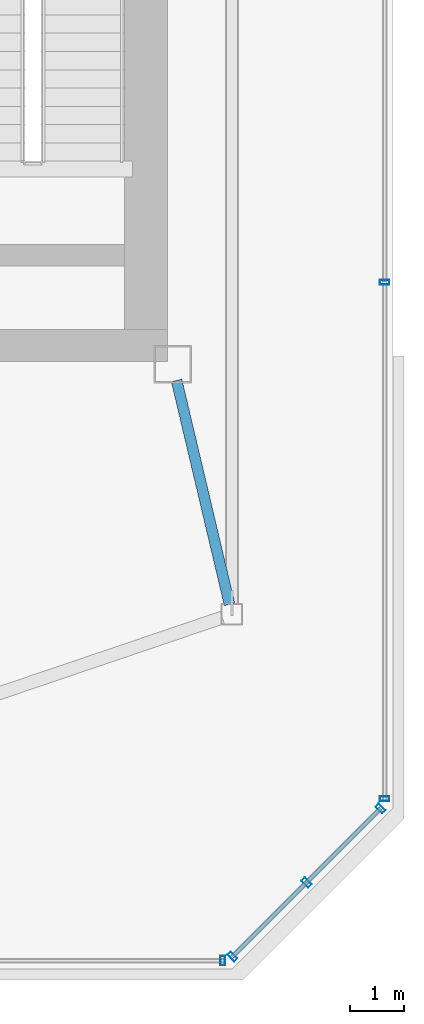
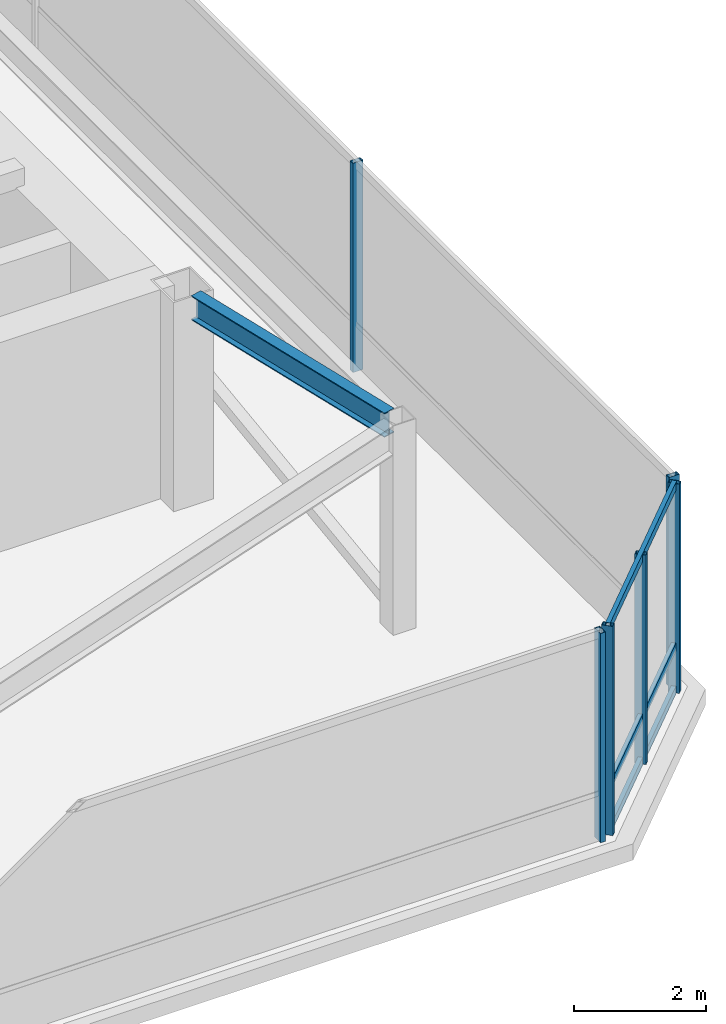
# One storey, part 11 of 22: 9 members, 1 beam, 3 elements without a shape of their own.
"""IFC4 building model written with IfcOpenShell, lengths in metres."""

from ifc_helpers import new_model, si_unit, direction, frame, origin, origin_2d, place, context, subcontext, project, spatial, hollow_rectangle, i_section, extrude, material, layer, layer_set, material_profile, profile_set, type_object, element, aggregate, save


model = new_model("IFC4")

# Units and contexts
model_context = context("Model", 3, precision=1e-05, world=origin(), true_north=direction((0.0, 1.0)))
body_context = subcontext(model_context, "Body", "Model", "MODEL_VIEW")
ifc_project = project(units=[si_unit("LENGTHUNIT", "METRE"), si_unit("AREAUNIT", "SQUARE_METRE"), si_unit("VOLUMEUNIT", "CUBIC_METRE"), si_unit("PLANEANGLEUNIT", "RADIAN"), si_unit("MASSUNIT", "GRAM", prefix="KILO")], contexts=[model_context])

# Site, building, storey
site_placement = place(None, origin())
site = spatial("IfcSite", under=ifc_project, at=site_placement, CompositionType="ELEMENT")
building_placement = place(site_placement, origin())
building = spatial("IfcBuilding", under=site, at=building_placement, Name="Tavrogorsk Clinical Tower", CompositionType="ELEMENT")
storey_placement = place(building_placement, frame((0.0, 0.0, 352.800048828125)))
storey = spatial("IfcBuildingStorey", under=building, at=storey_placement, Name="L82", CompositionType="ELEMENT", Elevation=352.800048828125)

# Curtain wall, members
ifc_material_1 = material(Name="Anodised aluminium and triple IGU glazing", Category="aluminium")
ifc_layer = layer(ifc_material_1, 0.179931640625)
ifc_layer_set = layer_set([ifc_layer], Name="Anodised aluminium and triple IGU glazing")
curtain_wall_type = type_object("IfcCurtainWallType", Name="CW5_SkyLobby", PredefinedType="NOTDEFINED", material=ifc_layer_set)
curtain_wall_1_placement = place(storey_placement, origin())
curtain_wall_1 = element("IfcCurtainWall", 1, at=curtain_wall_1_placement, inside=storey, type_object=curtain_wall_type, Name="L82 Curtain Wall CW-L82-DRUM-6", PredefinedType="NOTDEFINED")
ifc_material_2 = material(Name="Anodised aluminium alloy AW-6060", Category="aluminium")
ifc_material_profile_1 = material_profile(ifc_material_2, hollow_rectangle(XDim=0.090087890625, YDim=0.179931640625, WallThickness=0.00634765625, at=origin_2d()), Name="RHS-180x90x6.3")
ifc_profile_set_1 = profile_set([ifc_material_profile_1], Name="Anodised aluminium alloy AW-6060")
member_type_1 = type_object("IfcMemberType", Name="CwMullion_180x90", PredefinedType="MULLION", material=ifc_profile_set_1)
member_1_placement = place(storey_placement, frame((26.0400390625, -4.824462890625, 0.0), z_axis=(0.0, 0.0, 1.0), x_axis=(0.0, -1.0, 0.0)))
member_1 = element("IfcMember", 2, at=member_1_placement, type_object=member_type_1, Name="CW-L82-DRUM-6 Mullion 3", PredefinedType="MULLION", context=body_context, shape_type="SweptSolid", body=[
    extrude(hollow_rectangle(XDim=0.090087890625, YDim=0.179931640625, WallThickness=0.00634765625, at=origin_2d()), origin(), (0.0, 0.0, 1.0), 3.8798828125),
])
member_2_placement = place(storey_placement, frame((26.0400390625, -14.4287109375, 0.0), z_axis=(0.0, 0.0, 1.0), x_axis=(0.0, -1.0, 0.0)))
member_2 = element("IfcMember", 3, at=member_2_placement, type_object=member_type_1, Name="CW-L82-DRUM-6 Mullion 4", PredefinedType="MULLION", context=body_context, shape_type="SweptSolid", body=[
    extrude(hollow_rectangle(XDim=0.090087890625, YDim=0.179931640625, WallThickness=0.00634765625, at=origin_2d()), origin(), (0.0, 0.0, 1.0), 3.8798828125),
])
aggregate(curtain_wall_1, [member_1, member_2])

curtain_wall_2_placement = place(storey_placement, origin())
curtain_wall_2 = element("IfcCurtainWall", 4, at=curtain_wall_2_placement, inside=storey, type_object=curtain_wall_type, Name="L82 Curtain Wall CW-L82-DRUM-7", PredefinedType="NOTDEFINED")
member_3_placement = place(storey_placement, frame((25.9658203125, -14.60791015625, 0.0), z_axis=(0.0, 0.0, 1.0), x_axis=(-0.707106781187, -0.707106781187, 0.0)))
member_3 = element("IfcMember", 5, at=member_3_placement, type_object=member_type_1, Name="CW-L82-DRUM-7 Mullion 1", PredefinedType="MULLION", context=body_context, shape_type="SweptSolid", body=[
    extrude(hollow_rectangle(XDim=0.090087890625, YDim=0.179931640625, WallThickness=0.00634765625, at=origin_2d()), origin(), (0.0, 0.0, 1.0), 3.8798828125),
])
member_4_placement = place(storey_placement, frame((24.5869140625, -15.98681640625, 0.0), z_axis=(0.0, 0.0, 1.0), x_axis=(-0.707106781187, -0.707106781187, 0.0)))
member_4 = element("IfcMember", 6, at=member_4_placement, type_object=member_type_1, Name="CW-L82-DRUM-7 Mullion 2", PredefinedType="MULLION", context=body_context, shape_type="SweptSolid", body=[
    extrude(hollow_rectangle(XDim=0.090087890625, YDim=0.179931640625, WallThickness=0.00634765625, at=origin_2d()), origin(), (0.0, 0.0, 1.0), 3.8798828125),
])
member_5_placement = place(storey_placement, frame((23.2080078125, -17.36572265625, 0.0), z_axis=(0.0, 0.0, 1.0), x_axis=(-0.707106781187, -0.707106781187, 0.0)))
member_5 = element("IfcMember", 7, at=member_5_placement, type_object=member_type_1, Name="CW-L82-DRUM-7 Mullion 3", PredefinedType="MULLION", context=body_context, shape_type="SweptSolid", body=[
    extrude(hollow_rectangle(XDim=0.090087890625, YDim=0.179931640625, WallThickness=0.00634765625, at=origin_2d()), origin(), (0.0, 0.0, 1.0), 3.8798828125),
])

# Curtain wall, member
curtain_wall_3_placement = place(storey_placement, origin())
curtain_wall_3 = element("IfcCurtainWall", 8, at=curtain_wall_3_placement, inside=storey, type_object=curtain_wall_type, Name="L82 Curtain Wall CW-L82-DRUM-8", PredefinedType="NOTDEFINED")
member_6_placement = place(storey_placement, frame((23.02880859375, -17.43994140625, 0.0), z_axis=(0.0, 0.0, 1.0), x_axis=(-1.0, 0.0, 0.0)))
member_6 = element("IfcMember", 9, at=member_6_placement, type_object=member_type_1, Name="CW-L82-DRUM-8 Mullion 1", PredefinedType="MULLION", context=body_context, shape_type="SweptSolid", body=[
    extrude(hollow_rectangle(XDim=0.090087890625, YDim=0.179931640625, WallThickness=0.00634765625, at=origin_2d()), origin(), (0.0, 0.0, 1.0), 3.8798828125),
])
aggregate(curtain_wall_3, [member_6])

# Member
ifc_material_3 = material(Name="Anodised aluminium alloy AW-6060", Category="aluminium")
ifc_material_profile_2 = material_profile(ifc_material_3, hollow_rectangle(XDim=0.074951171875, YDim=0.14990234375, WallThickness=0.0048828125, at=origin_2d()), Name="RHS-150x75x5")
ifc_profile_set_2 = profile_set([ifc_material_profile_2], Name="Anodised aluminium alloy AW-6060")
member_type_2 = type_object("IfcMemberType", Name="CwTransom_150x75", PredefinedType="USERDEFINED", material=ifc_profile_set_2)
member_7_placement = place(storey_placement, frame((25.9658203125, -14.60791015625, 0.050048828125), z_axis=(-0.707106781187, -0.707106781187, 0.0), x_axis=(0.707106781187, -0.707106781187, 0.0)))
member_7 = element("IfcMember", 10, at=member_7_placement, type_object=member_type_2, Name="CW-L82-DRUM-7 Transom 1", ObjectType="TRANSOM", PredefinedType="USERDEFINED", context=body_context, shape_type="SweptSolid", body=[
    extrude(hollow_rectangle(XDim=0.074951171875, YDim=0.14990234375, WallThickness=0.0048828125, at=origin_2d()), origin(), (0.0, 0.0, 1.0), 3.900146484375),
])

member_8_placement = place(storey_placement, frame((25.9658203125, -14.60791015625, 0.849853515625), z_axis=(-0.707106781187, -0.707106781187, 0.0), x_axis=(0.707106781187, -0.707106781187, 0.0)))
member_8 = element("IfcMember", 11, at=member_8_placement, type_object=member_type_2, Name="CW-L82-DRUM-7 Transom 2", ObjectType="TRANSOM", PredefinedType="USERDEFINED", context=body_context, shape_type="SweptSolid", body=[
    extrude(hollow_rectangle(XDim=0.074951171875, YDim=0.14990234375, WallThickness=0.0048828125, at=origin_2d()), origin(), (0.0, 0.0, 1.0), 3.900146484375),
])

member_9_placement = place(storey_placement, frame((25.9658203125, -14.60791015625, 3.829833984375), z_axis=(-0.707106781187, -0.707106781187, 0.0), x_axis=(0.707106781187, -0.707106781187, 0.0)))
member_9 = element("IfcMember", 12, at=member_9_placement, type_object=member_type_2, Name="CW-L82-DRUM-7 Transom 3", ObjectType="TRANSOM", PredefinedType="USERDEFINED", context=body_context, shape_type="SweptSolid", body=[
    extrude(hollow_rectangle(XDim=0.074951171875, YDim=0.14990234375, WallThickness=0.0048828125, at=origin_2d()), origin(), (0.0, 0.0, 1.0), 3.900146484375),
])

aggregate(curtain_wall_2, [member_3, member_4, member_5, member_7, member_8, member_9])

# Beam
ifc_material_4 = material(Name="Structural steel S355", Category="steel")
ifc_material_profile_3 = material_profile(ifc_material_4, i_section(OverallWidth=0.199951171875, OverallDepth=0.449951171875, WebThickness=0.011474609375, FlangeThickness=0.01806640625, at=origin_2d()), Name="B-450x200x11.5x18")
ifc_profile_set_3 = profile_set([ifc_material_profile_3], Name="Structural steel S355")
beam_type = type_object("IfcBeamType", Name="FloorBeam_B450", PredefinedType="BEAM", material=ifc_profile_set_3)
beam_placement = place(storey_placement, frame((22.17138671875, -6.651611328125, 3.655029296875), z_axis=(0.230190528398, -0.973145580392, 0.0), x_axis=(0.973145580392, 0.230190528398, 0.0)))
element("IfcBeam", 13, at=beam_placement, inside=storey, type_object=beam_type, Name="L82 Crown Radial Beam 04", PredefinedType="BEAM", context=body_context, shape_type="SweptSolid", body=[
    extrude(i_section(OverallWidth=0.199951171875, OverallDepth=0.449951171875, WebThickness=0.011474609375, FlangeThickness=0.01806640625, at=origin_2d()), origin(), (0.0, 0.0, 1.0), 4.278564453125),
])

save(model, "model.ifc")
